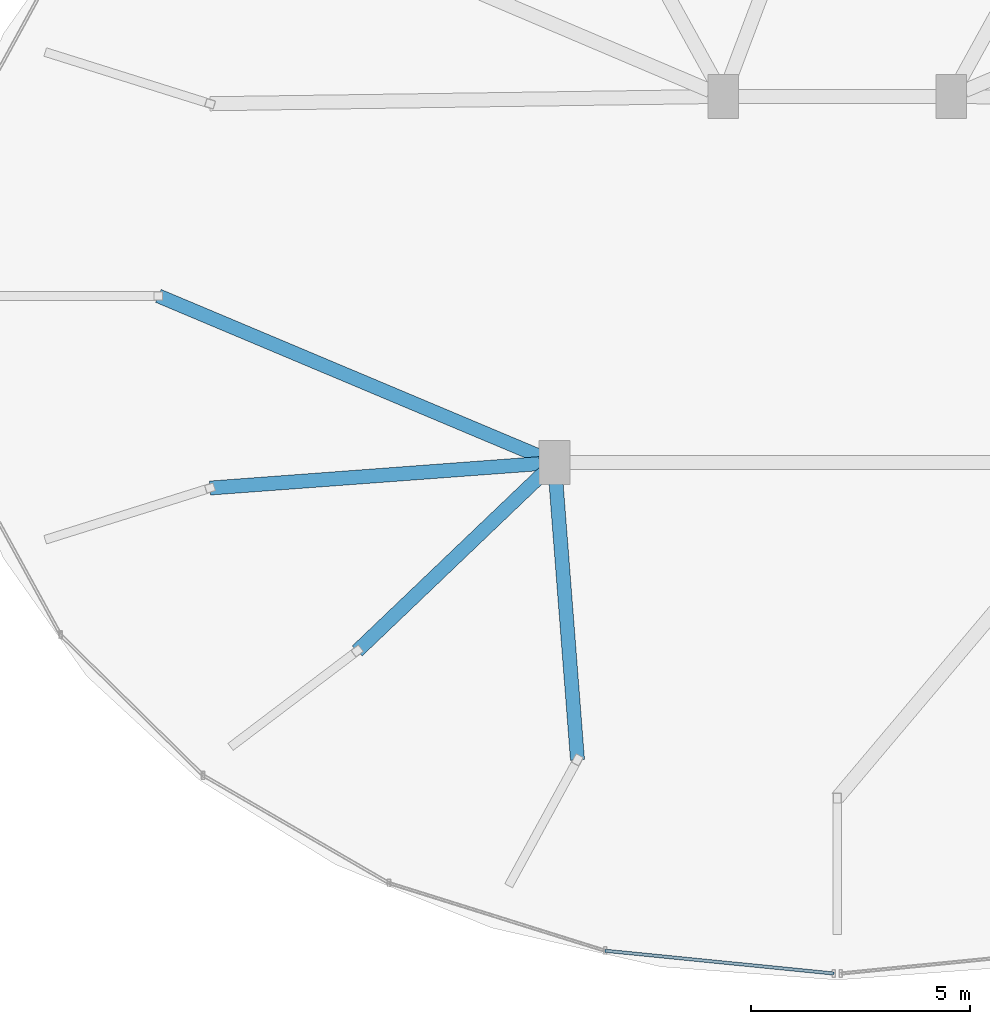
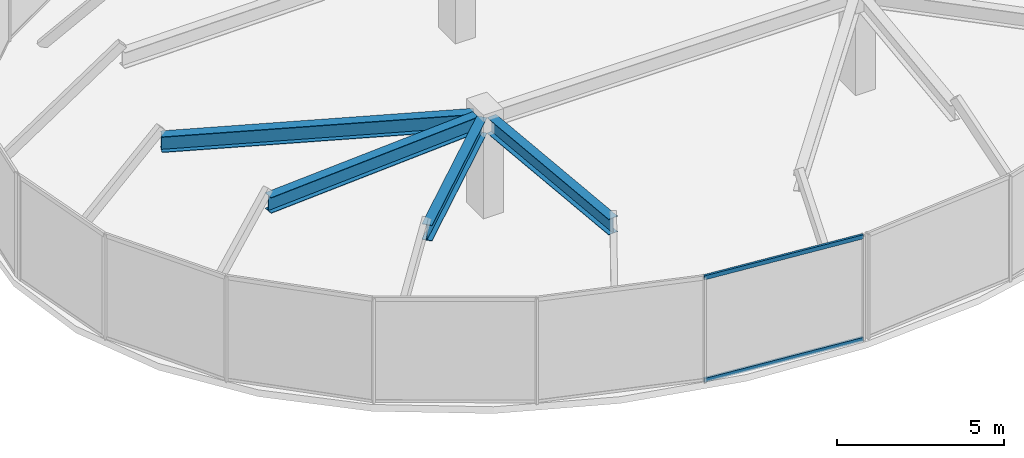
# One storey, part 4 of 14: 4 beams, 2 members, 1 element without a shape of its own.
"""IFC4 building model written with IfcOpenShell, lengths in metres."""

from ifc_helpers import new_model, si_unit, direction, frame, origin, origin_2d, place, context, subcontext, project, spatial, hollow_rectangle, i_section, extrude, material, material_profile, profile_set, type_object, element, aggregate, save


model = new_model("IFC4")

# Units and contexts
model_context = context("Model", 3, precision=1e-05, world=origin(), true_north=direction((0.0, 1.0)))
body_context = subcontext(model_context, "Body", "Model", "MODEL_VIEW")
ifc_project = project(units=[si_unit("LENGTHUNIT", "METRE"), si_unit("AREAUNIT", "SQUARE_METRE"), si_unit("VOLUMEUNIT", "CUBIC_METRE"), si_unit("PLANEANGLEUNIT", "RADIAN"), si_unit("MASSUNIT", "GRAM", prefix="KILO")], contexts=[model_context])

# Site, building, storey
site_placement = place(None, origin())
site = spatial("IfcSite", under=ifc_project, at=site_placement, CompositionType="ELEMENT")
building_placement = place(site_placement, origin())
building = spatial("IfcBuilding", under=site, at=building_placement, Name="Vorneva Point Tower", CompositionType="ELEMENT")
storey_placement = place(building_placement, frame((0.0, 0.0, 299.199951171875)))
storey = spatial("IfcBuildingStorey", under=building, at=storey_placement, Name="C02", CompositionType="ELEMENT", Elevation=299.199951171875)

# Beams
ifc_material_1 = material(Name="Steel S355", Category="steel")
ifc_material_profile_1 = material_profile(ifc_material_1, i_section(OverallWidth=0.320068359375, OverallDepth=0.580078125, WebThickness=0.011962890625, FlangeThickness=0.01708984375, at=origin_2d()), Name="60Sh1")
ifc_profile_set_1 = profile_set([ifc_material_profile_1], Name="Steel S355")
beam_type = type_object("IfcBeamType", Name="BM-GRD-60Sh1", PredefinedType="USERDEFINED", material=ifc_profile_set_1)
beam_1_placement = place(storey_placement, frame((22.51806640625, 26.0, 3.260009765625), z_axis=(0.92173882954, -0.387811204218, 0.0), x_axis=(0.387811204218, 0.92173882954, 0.0)))
element("IfcBeam", 1, at=beam_1_placement, inside=storey, type_object=beam_type, Name="C02 Radial Primary Girder 09", ObjectType="GIRDER", PredefinedType="USERDEFINED", context=body_context, shape_type="SweptSolid", body=[
    extrude(i_section(OverallWidth=0.320068359375, OverallDepth=0.580078125, WebThickness=0.011962890625, FlangeThickness=0.01708984375, at=origin_2d()), origin(), (0.0, 0.0, 1.0), 9.458740234375),
])
beam_2_placement = place(storey_placement, frame((23.696533203125, 21.618408203125, 3.260009765625), z_axis=(0.997269964173, 0.073841848285, 0.0), x_axis=(-0.073841848285, 0.997269964173, 0.0)))
element("IfcBeam", 2, at=beam_2_placement, inside=storey, type_object=beam_type, Name="C02 Radial Primary Girder 10", ObjectType="GIRDER", PredefinedType="USERDEFINED", context=body_context, shape_type="SweptSolid", body=[
    extrude(i_section(OverallWidth=0.320068359375, OverallDepth=0.580078125, WebThickness=0.011962890625, FlangeThickness=0.01708984375, at=origin_2d()), origin(), (0.0, 0.0, 1.0), 7.534912109375),
])
beam_3_placement = place(storey_placement, frame((27.052490234375, 17.903564453125, 3.260009765625), z_axis=(0.723094379214, 0.690749244479, 0.0), x_axis=(-0.690749244479, 0.723094379214, 0.0)))
element("IfcBeam", 3, at=beam_3_placement, inside=storey, type_object=beam_type, Name="C02 Radial Primary Girder 11", ObjectType="GIRDER", PredefinedType="USERDEFINED", context=body_context, shape_type="SweptSolid", body=[
    extrude(i_section(OverallWidth=0.320068359375, OverallDepth=0.580078125, WebThickness=0.011962890625, FlangeThickness=0.01708984375, at=origin_2d()), origin(), (0.0, 0.0, 1.0), 5.8798828125),
])
beam_4_placement = place(storey_placement, frame((32.0751953125, 15.421630859375, 3.260009765625), z_axis=(-0.077225466191, 0.997013654556, 0.0), x_axis=(-0.997013654556, -0.077225466191, 0.0)))
element("IfcBeam", 4, at=beam_4_placement, inside=storey, type_object=beam_type, Name="C02 Radial Primary Girder 12", ObjectType="GIRDER", PredefinedType="USERDEFINED", context=body_context, shape_type="SweptSolid", body=[
    extrude(i_section(OverallWidth=0.320068359375, OverallDepth=0.580078125, WebThickness=0.011962890625, FlangeThickness=0.01708984375, at=origin_2d()), origin(), (0.0, 0.0, 1.0), 6.458740234375),
])

# Curtain wall, members
ifc_material_2 = material(Name="Pale anodised aluminium", Category="aluminium")
curtain_wall_type = type_object("IfcCurtainWallType", Name="CW-CRN-SYS", PredefinedType="NOTDEFINED", material=ifc_material_2)
curtain_wall_placement = place(storey_placement, origin())
curtain_wall = element("IfcCurtainWall", 5, at=curtain_wall_placement, inside=storey, type_object=curtain_wall_type, Name="C02 Unitised Curtain Wall CW-C02-Q3", PredefinedType="NOTDEFINED")
ifc_material_profile_2 = material_profile(ifc_material_2, hollow_rectangle(XDim=0.074951171875, YDim=0.14990234375, WallThickness=0.00390625, at=origin_2d()), Name="AL-TRN 150x75x4")
ifc_profile_set_2 = profile_set([ifc_material_profile_2], Name="Pale anodised aluminium")
member_type = type_object("IfcMemberType", Name="CW-TRN-150", PredefinedType="USERDEFINED", material=ifc_profile_set_2)
member_1_placement = place(storey_placement, frame((32.70654296875, 11.06689453125, 0.02001953125), z_axis=(0.995081379901, -0.099060826637, 0.0), x_axis=(0.099060826637, 0.995081379901, 0.0)))
member_1 = element("IfcMember", 6, at=member_1_placement, type_object=member_type, Name="CW-C02-Q3 Transom 06.1", ObjectType="TRANSOM", PredefinedType="USERDEFINED", context=body_context, shape_type="SweptSolid", body=[
    extrude(hollow_rectangle(XDim=0.074951171875, YDim=0.14990234375, WallThickness=0.00390625, at=origin_2d()), origin(), (0.0, 0.0, 1.0), 5.23974609375),
])
member_2_placement = place(storey_placement, frame((32.70654296875, 11.06689453125, 3.780029296875), z_axis=(0.995081379901, -0.099060826637, 0.0), x_axis=(0.099060826637, 0.995081379901, 0.0)))
member_2 = element("IfcMember", 7, at=member_2_placement, type_object=member_type, Name="CW-C02-Q3 Transom 06.2", ObjectType="TRANSOM", PredefinedType="USERDEFINED", context=body_context, shape_type="SweptSolid", body=[
    extrude(hollow_rectangle(XDim=0.074951171875, YDim=0.14990234375, WallThickness=0.00390625, at=origin_2d()), origin(), (0.0, 0.0, 1.0), 5.23974609375),
])
aggregate(curtain_wall, [member_1, member_2])

save(model, "model.ifc")
